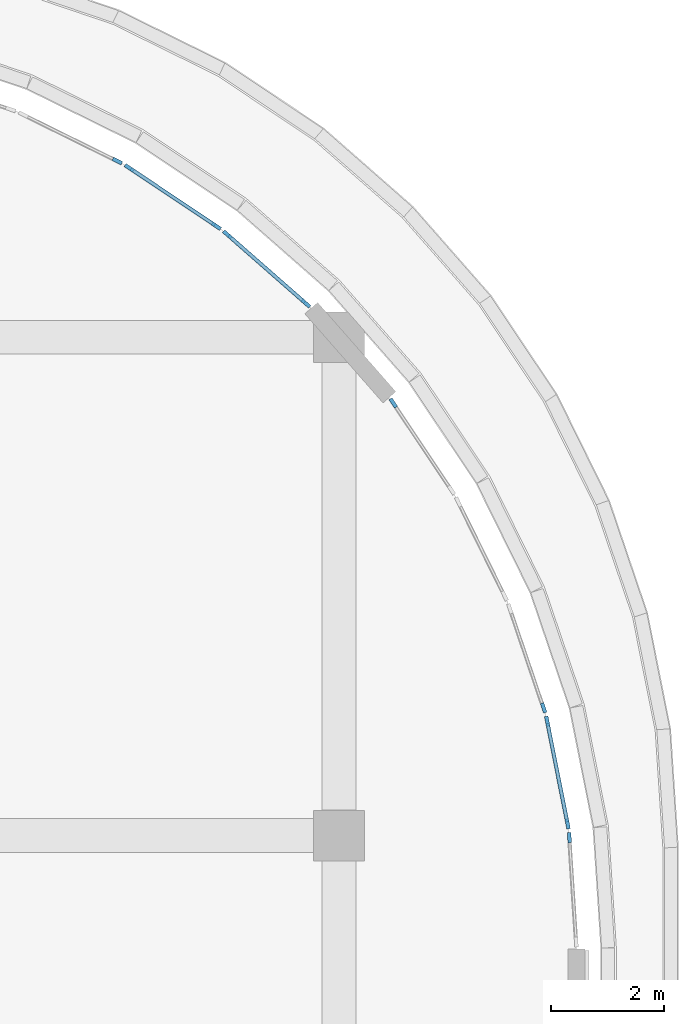
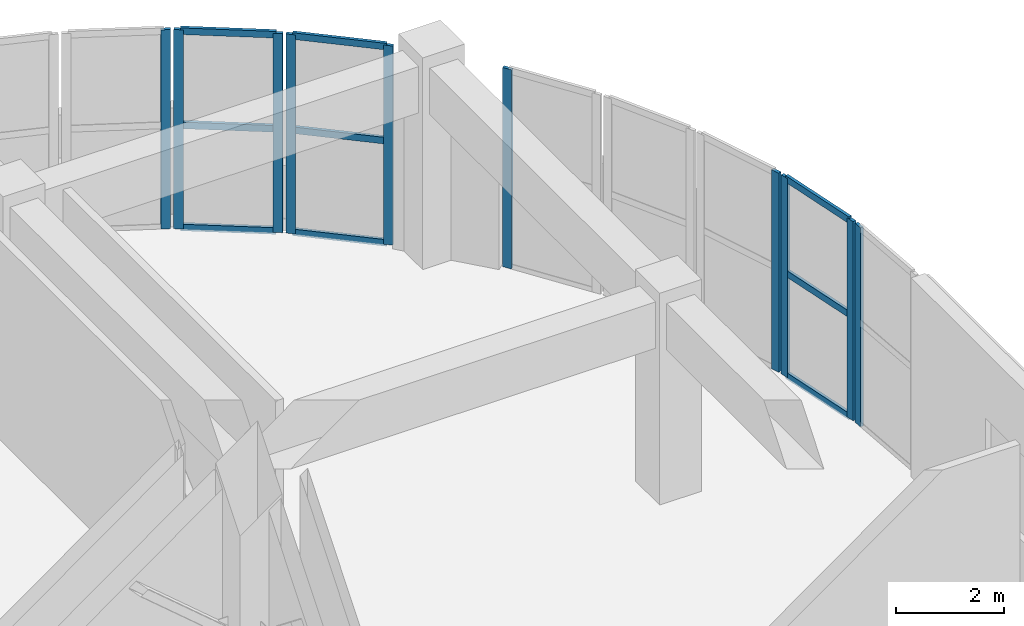
# One storey, part 43 of 96: 19 members, 7 elements without a shape of their own.
"""IFC4 building model written with IfcOpenShell, lengths in metres."""

from ifc_helpers import new_model, si_unit, direction, frame, origin, origin_2d, place, context, subcontext, project, spatial, rectangle, extrude, material, layer, layer_set, material_profile, profile_set, type_object, element, aggregate, save


model = new_model("IFC4")

# Units and contexts
model_context = context("Model", 3, precision=1e-05, world=origin(), true_north=direction((0.0, 1.0)))
body_context = subcontext(model_context, "Body", "Model", "MODEL_VIEW")
ifc_project = project(units=[si_unit("LENGTHUNIT", "METRE"), si_unit("AREAUNIT", "SQUARE_METRE"), si_unit("VOLUMEUNIT", "CUBIC_METRE"), si_unit("PLANEANGLEUNIT", "RADIAN"), si_unit("MASSUNIT", "GRAM", prefix="KILO")], contexts=[model_context])

# Site, building, storey
site_placement = place(None, origin())
site = spatial("IfcSite", under=ifc_project, at=site_placement, CompositionType="ELEMENT")
building_placement = place(site_placement, origin())
building = spatial("IfcBuilding", under=site, at=building_placement, Name="Cendralis Terraced Arcade", CompositionType="ELEMENT")
storey_placement = place(building_placement, frame((0.0, 0.0, 10.199951171875)))
storey = spatial("IfcBuildingStorey", under=building, at=storey_placement, Name="L02", CompositionType="ELEMENT", Elevation=10.199951171875)

# Curtain wall, member
ifc_material = material(Name="Anodised aluminium EN AW-6063 T6", Category="aluminium")
ifc_layer = layer(ifc_material, 0.179931640625, Name="CW-UNIT-A")
ifc_layer_set = layer_set([ifc_layer], Name="Anodised aluminium EN AW-6063 T6")
curtain_wall_type = type_object("IfcCurtainWallType", Name="CW-UNIT-A", PredefinedType="USERDEFINED", material=ifc_layer_set)
curtain_wall_1_placement = place(storey_placement, origin())
curtain_wall_1 = element("IfcCurtainWall", 1, at=curtain_wall_1_placement, inside=storey, type_object=curtain_wall_type, Name="Exterior Unitised Facade CW-L02-0160", ObjectType="UNITISED FACADE", PredefinedType="USERDEFINED")
ifc_material_profile_1 = material_profile(ifc_material, rectangle(XDim=0.06494140625, YDim=0.179931640625, at=origin_2d()), Name="ALU-MUL-65x180")
ifc_profile_set_1 = profile_set([ifc_material_profile_1], Name="Anodised aluminium EN AW-6063 T6")
member_type_1 = type_object("IfcMemberType", Name="CW-UNIT-A-MUL", PredefinedType="MULLION", material=ifc_profile_set_1)
member_1_placement = place(storey_placement, frame((162.2900390625, 110.310546875, 0.0), z_axis=(0.0, 0.0, 1.0), x_axis=(0.442293060122, 0.896870586522, 0.0)))
member_1 = element("IfcMember", 2, at=member_1_placement, type_object=member_type_1, Name="CW-U1 mullion 2", PredefinedType="MULLION", context=body_context, shape_type="SweptSolid", body=[
    extrude(rectangle(XDim=0.06494140625, YDim=0.179931640625, at=origin_2d()), origin(), (0.0, 0.0, 1.0), 4.51513671875),
])
aggregate(curtain_wall_1, [member_1])

# Curtain wall, members
curtain_wall_2_placement = place(storey_placement, origin())
curtain_wall_2 = element("IfcCurtainWall", 3, at=curtain_wall_2_placement, inside=storey, type_object=curtain_wall_type, Name="Exterior Unitised Facade CW-L02-0161", ObjectType="UNITISED FACADE", PredefinedType="USERDEFINED")
member_2_placement = place(storey_placement, frame((162.501708984375, 110.188232421875, 0.0), z_axis=(0.0, 0.0, 1.0), x_axis=(0.555532306305, 0.831494952872, 0.0)))
member_2 = element("IfcMember", 4, at=member_2_placement, type_object=member_type_1, Name="CW-U1 mullion 1", PredefinedType="MULLION", context=body_context, shape_type="SweptSolid", body=[
    extrude(rectangle(XDim=0.06494140625, YDim=0.179931640625, at=origin_2d()), origin(), (0.0, 0.0, 1.0), 4.51513671875),
])
member_3_placement = place(storey_placement, frame((164.038330078125, 109.161865234375, 0.0), z_axis=(0.0, 0.0, 1.0), x_axis=(0.555532306305, 0.831494952872, 0.0)))
member_3 = element("IfcMember", 5, at=member_3_placement, type_object=member_type_1, Name="CW-U1 mullion 2", PredefinedType="MULLION", context=body_context, shape_type="SweptSolid", body=[
    extrude(rectangle(XDim=0.06494140625, YDim=0.179931640625, at=origin_2d()), origin(), (0.0, 0.0, 1.0), 4.51513671875),
])

curtain_wall_3_placement = place(storey_placement, origin())
curtain_wall_3 = element("IfcCurtainWall", 6, at=curtain_wall_3_placement, inside=storey, type_object=curtain_wall_type, Name="Exterior Unitised Facade CW-L02-0162", ObjectType="UNITISED FACADE", PredefinedType="USERDEFINED")
member_4_placement = place(storey_placement, frame((164.232421875, 109.012939453125, 0.0), z_axis=(0.0, 0.0, 1.0), x_axis=(0.659410866, 0.751782754392, 0.0)))
member_4 = element("IfcMember", 7, at=member_4_placement, type_object=member_type_1, Name="CW-U1 mullion 1", PredefinedType="MULLION", context=body_context, shape_type="SweptSolid", body=[
    extrude(rectangle(XDim=0.06494140625, YDim=0.179931640625, at=origin_2d()), origin(), (0.0, 0.0, 1.0), 4.51513671875),
])
member_5_placement = place(storey_placement, frame((165.62158203125, 107.79443359375, 0.0), z_axis=(0.0, 0.0, 1.0), x_axis=(0.659410866, 0.751782754392, 0.0)))
member_5 = element("IfcMember", 8, at=member_5_placement, type_object=member_type_1, Name="CW-U1 mullion 2", PredefinedType="MULLION", context=body_context, shape_type="SweptSolid", body=[
    extrude(rectangle(XDim=0.06494140625, YDim=0.179931640625, at=origin_2d()), origin(), (0.0, 0.0, 1.0), 4.51513671875),
])

# Curtain wall, member
curtain_wall_4_placement = place(storey_placement, origin())
curtain_wall_4 = element("IfcCurtainWall", 9, at=curtain_wall_4_placement, inside=storey, type_object=curtain_wall_type, Name="Exterior Unitised Facade CW-L02-0163", ObjectType="UNITISED FACADE", PredefinedType="USERDEFINED")
member_6_placement = place(storey_placement, frame((167.161865234375, 106.038330078125, 0.0), z_axis=(0.0, 0.0, 1.0), x_axis=(0.831494952872, 0.555532306305, 0.0)))
member_6 = element("IfcMember", 10, at=member_6_placement, type_object=member_type_1, Name="CW-U1 mullion 1", PredefinedType="MULLION", context=body_context, shape_type="SweptSolid", body=[
    extrude(rectangle(XDim=0.06494140625, YDim=0.179931640625, at=origin_2d()), origin(), (0.0, 0.0, 1.0), 4.51513671875),
])
aggregate(curtain_wall_4, [member_6])

curtain_wall_5_placement = place(storey_placement, origin())
curtain_wall_5 = element("IfcCurtainWall", 11, at=curtain_wall_5_placement, inside=storey, type_object=curtain_wall_type, Name="Exterior Unitised Facade CW-L02-0165", ObjectType="UNITISED FACADE", PredefinedType="USERDEFINED")
member_7_placement = place(storey_placement, frame((169.8154296875, 100.656982421875, 0.0), z_axis=(0.0, 0.0, 1.0), x_axis=(0.94692813167, 0.321445350645, 0.0)))
member_7 = element("IfcMember", 12, at=member_7_placement, type_object=member_type_1, Name="CW-U1 mullion 2", PredefinedType="MULLION", context=body_context, shape_type="SweptSolid", body=[
    extrude(rectangle(XDim=0.06494140625, YDim=0.179931640625, at=origin_2d()), origin(), (0.0, 0.0, 1.0), 4.51513671875),
])
aggregate(curtain_wall_5, [member_7])

# Curtain wall, members
curtain_wall_6_placement = place(storey_placement, origin())
curtain_wall_6 = element("IfcCurtainWall", 13, at=curtain_wall_6_placement, inside=storey, type_object=curtain_wall_type, Name="Exterior Unitised Facade CW-L02-0166", ObjectType="UNITISED FACADE", PredefinedType="USERDEFINED")
member_8_placement = place(storey_placement, frame((169.878662109375, 100.4208984375, 0.0), z_axis=(0.0, 0.0, 1.0), x_axis=(0.980793231232, 0.195050346244, 0.0)))
member_8 = element("IfcMember", 14, at=member_8_placement, type_object=member_type_1, Name="CW-U1 mullion 1", PredefinedType="MULLION", context=body_context, shape_type="SweptSolid", body=[
    extrude(rectangle(XDim=0.06494140625, YDim=0.179931640625, at=origin_2d()), origin(), (0.0, 0.0, 1.0), 4.51513671875),
])
member_9_placement = place(storey_placement, frame((170.2392578125, 98.608642578125, 0.0), z_axis=(0.0, 0.0, 1.0), x_axis=(0.980793231232, 0.195050346244, 0.0)))
member_9 = element("IfcMember", 15, at=member_9_placement, type_object=member_type_1, Name="CW-U1 mullion 2", PredefinedType="MULLION", context=body_context, shape_type="SweptSolid", body=[
    extrude(rectangle(XDim=0.06494140625, YDim=0.179931640625, at=origin_2d()), origin(), (0.0, 0.0, 1.0), 4.51513671875),
])

# Curtain wall, member
curtain_wall_7_placement = place(storey_placement, origin())
curtain_wall_7 = element("IfcCurtainWall", 16, at=curtain_wall_7_placement, inside=storey, type_object=curtain_wall_type, Name="Exterior Unitised Facade CW-L02-0167", ObjectType="UNITISED FACADE", PredefinedType="USERDEFINED")
member_10_placement = place(storey_placement, frame((170.271240234375, 98.3662109375, 0.0), z_axis=(0.0, 0.0, 1.0), x_axis=(0.997859242629, 0.065398256097, 0.0)))
member_10 = element("IfcMember", 17, at=member_10_placement, type_object=member_type_1, Name="CW-U1 mullion 1", PredefinedType="MULLION", context=body_context, shape_type="SweptSolid", body=[
    extrude(rectangle(XDim=0.06494140625, YDim=0.179931640625, at=origin_2d()), origin(), (0.0, 0.0, 1.0), 4.51513671875),
])
aggregate(curtain_wall_7, [member_10])

# Member
ifc_material_profile_2 = material_profile(ifc_material, rectangle(XDim=0.06494140625, YDim=0.14990234375, at=origin_2d()), Name="ALU-TRN-65x150")
ifc_profile_set_2 = profile_set([ifc_material_profile_2], Name="Anodised aluminium EN AW-6063 T6")
member_type_2 = type_object("IfcMemberType", Name="CW-UNIT-A-TRN", PredefinedType="USERDEFINED", material=ifc_profile_set_2)
member_11_placement = place(storey_placement, frame((162.52880859375, 110.17041015625, 0.032470703125), z_axis=(0.831523298827, -0.555489877053, 0.0), x_axis=(0.555489877053, 0.831523298827, 0.0)))
member_11 = element("IfcMember", 18, at=member_11_placement, type_object=member_type_2, Name="CW-U1 transom 1.1", ObjectType="TRANSOM", PredefinedType="USERDEFINED", context=body_context, shape_type="SweptSolid", body=[
    extrude(rectangle(XDim=0.06494140625, YDim=0.14990234375, at=origin_2d()), origin(), (0.0, 0.0, 1.0), 1.782958984375),
])

member_12_placement = place(storey_placement, frame((162.52880859375, 110.17041015625, 2.347900390625), z_axis=(0.831523298827, -0.555489877053, 0.0), x_axis=(0.555489877053, 0.831523298827, 0.0)))
member_12 = element("IfcMember", 19, at=member_12_placement, type_object=member_type_2, Name="CW-U1 transom 1.2", ObjectType="TRANSOM", PredefinedType="USERDEFINED", context=body_context, shape_type="SweptSolid", body=[
    extrude(rectangle(XDim=0.06494140625, YDim=0.14990234375, at=origin_2d()), origin(), (0.0, 0.0, 1.0), 1.782958984375),
])

member_13_placement = place(storey_placement, frame((162.52880859375, 110.17041015625, 4.482666015625), z_axis=(0.831523298827, -0.555489877053, 0.0), x_axis=(0.555489877053, 0.831523298827, 0.0)))
member_13 = element("IfcMember", 20, at=member_13_placement, type_object=member_type_2, Name="CW-U1 transom 1.3", ObjectType="TRANSOM", PredefinedType="USERDEFINED", context=body_context, shape_type="SweptSolid", body=[
    extrude(rectangle(XDim=0.06494140625, YDim=0.14990234375, at=origin_2d()), origin(), (0.0, 0.0, 1.0), 1.782958984375),
])

aggregate(curtain_wall_2, [member_2, member_3, member_11, member_12, member_13])

member_14_placement = place(storey_placement, frame((164.2568359375, 108.991455078125, 0.032470703125), z_axis=(0.75181270579, -0.659376717373, 0.0), x_axis=(0.659376717373, 0.75181270579, 0.0)))
member_14 = element("IfcMember", 21, at=member_14_placement, type_object=member_type_2, Name="CW-U1 transom 1.1", ObjectType="TRANSOM", PredefinedType="USERDEFINED", context=body_context, shape_type="SweptSolid", body=[
    extrude(rectangle(XDim=0.06494140625, YDim=0.14990234375, at=origin_2d()), origin(), (0.0, 0.0, 1.0), 1.78271484375),
])

member_15_placement = place(storey_placement, frame((164.2568359375, 108.991455078125, 2.347900390625), z_axis=(0.75181270579, -0.659376717373, 0.0), x_axis=(0.659376717373, 0.75181270579, 0.0)))
member_15 = element("IfcMember", 22, at=member_15_placement, type_object=member_type_2, Name="CW-U1 transom 1.2", ObjectType="TRANSOM", PredefinedType="USERDEFINED", context=body_context, shape_type="SweptSolid", body=[
    extrude(rectangle(XDim=0.06494140625, YDim=0.14990234375, at=origin_2d()), origin(), (0.0, 0.0, 1.0), 1.78271484375),
])

member_16_placement = place(storey_placement, frame((164.2568359375, 108.991455078125, 4.482666015625), z_axis=(0.75181270579, -0.659376717373, 0.0), x_axis=(0.659376717373, 0.75181270579, 0.0)))
member_16 = element("IfcMember", 23, at=member_16_placement, type_object=member_type_2, Name="CW-U1 transom 1.3", ObjectType="TRANSOM", PredefinedType="USERDEFINED", context=body_context, shape_type="SweptSolid", body=[
    extrude(rectangle(XDim=0.06494140625, YDim=0.14990234375, at=origin_2d()), origin(), (0.0, 0.0, 1.0), 1.78271484375),
])

aggregate(curtain_wall_3, [member_4, member_5, member_14, member_15, member_16])

member_17_placement = place(storey_placement, frame((169.885009765625, 100.38916015625, 0.032470703125), z_axis=(0.195115441032, -0.980780283586, 0.0), x_axis=(0.980780283586, 0.195115441032, 0.0)))
member_17 = element("IfcMember", 24, at=member_17_placement, type_object=member_type_2, Name="CW-U1 transom 1.1", ObjectType="TRANSOM", PredefinedType="USERDEFINED", context=body_context, shape_type="SweptSolid", body=[
    extrude(rectangle(XDim=0.06494140625, YDim=0.14990234375, at=origin_2d()), origin(), (0.0, 0.0, 1.0), 1.782958984375),
])

member_18_placement = place(storey_placement, frame((169.885009765625, 100.38916015625, 2.347900390625), z_axis=(0.195115441032, -0.980780283586, 0.0), x_axis=(0.980780283586, 0.195115441032, 0.0)))
member_18 = element("IfcMember", 25, at=member_18_placement, type_object=member_type_2, Name="CW-U1 transom 1.2", ObjectType="TRANSOM", PredefinedType="USERDEFINED", context=body_context, shape_type="SweptSolid", body=[
    extrude(rectangle(XDim=0.06494140625, YDim=0.14990234375, at=origin_2d()), origin(), (0.0, 0.0, 1.0), 1.782958984375),
])

member_19_placement = place(storey_placement, frame((169.885009765625, 100.38916015625, 4.482666015625), z_axis=(0.195115441032, -0.980780283586, 0.0), x_axis=(0.980780283586, 0.195115441032, 0.0)))
member_19 = element("IfcMember", 26, at=member_19_placement, type_object=member_type_2, Name="CW-U1 transom 1.3", ObjectType="TRANSOM", PredefinedType="USERDEFINED", context=body_context, shape_type="SweptSolid", body=[
    extrude(rectangle(XDim=0.06494140625, YDim=0.14990234375, at=origin_2d()), origin(), (0.0, 0.0, 1.0), 1.782958984375),
])

aggregate(curtain_wall_6, [member_8, member_9, member_17, member_18, member_19])

save(model, "model.ifc")
